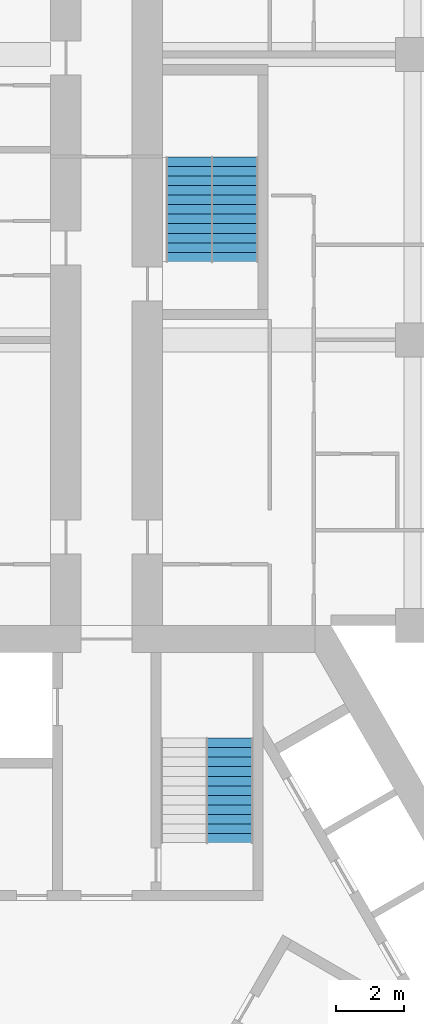
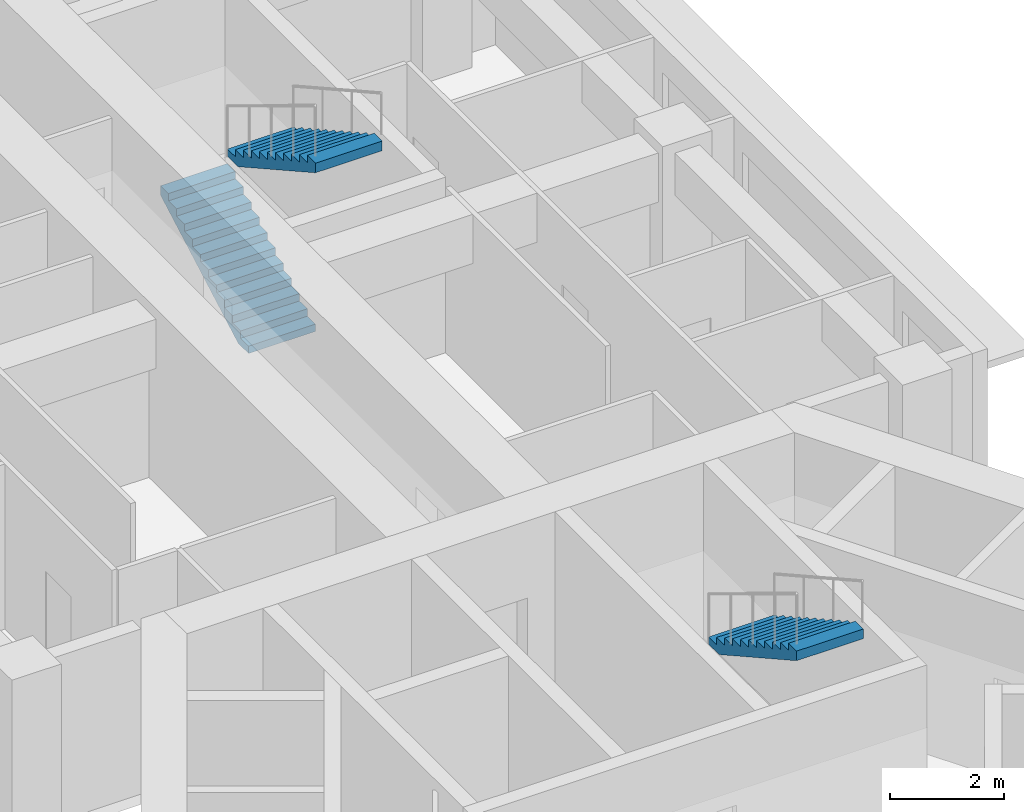
# One storey, part 13 of 14: 3 stair flights, 2 elements without a shape of their own.
"""IFC4 building model written with IfcOpenShell, lengths in metres."""

from ifc_helpers import new_model, si_unit, direction, frame, origin, place, context, subcontext, project, spatial, polyline, outline, extrude, material, type_object, element, aggregate, save


model = new_model("IFC4")

# Units and contexts
model_context = context("Model", 3, precision=1e-05, world=origin(), true_north=direction((0.0, 1.0)))
body_context = subcontext(model_context, "Body", "Model", "MODEL_VIEW")
ifc_project = project(units=[si_unit("LENGTHUNIT", "METRE"), si_unit("AREAUNIT", "SQUARE_METRE"), si_unit("VOLUMEUNIT", "CUBIC_METRE"), si_unit("PLANEANGLEUNIT", "RADIAN"), si_unit("MASSUNIT", "GRAM", prefix="KILO")], contexts=[model_context])

# Site, building, storey
site_placement = place(None, origin())
site = spatial("IfcSite", under=ifc_project, at=site_placement, CompositionType="ELEMENT")
building_placement = place(site_placement, origin())
building = spatial("IfcBuilding", under=site, at=building_placement, Name="Impinga Residences", CompositionType="ELEMENT")
storey_placement = place(building_placement, frame((0.0, 0.0, 143.5)))
storey = spatial("IfcBuildingStorey", under=building, at=storey_placement, Name="L35", CompositionType="ELEMENT", Elevation=143.5)

# Stair, stair flight
ifc_material = material(Name="Concrete C40/50", Category="concrete")
stair_type_1 = type_object("IfcStairType", Name="STR core stair 3750 storey, 24 risers", PredefinedType="HALF_TURN_STAIR", material=ifc_material)
stair_1_placement = place(storey_placement, origin())
stair_1 = element("IfcStair", 1, at=stair_1_placement, inside=storey, type_object=stair_type_1, Name="Stair ST1 L35", PredefinedType="HALF_TURN_STAIR")
stair_flight_type = type_object("IfcStairFlightType", Name="SF 12 risers of 156", PredefinedType="STRAIGHT", material=ifc_material)
stair_flight_1_placement = place(storey_placement, frame((3.625, 8.110107421875, 1.875), z_axis=(0.0, 0.0, 1.0), x_axis=(0.0, -1.0, 0.0)))
stair_flight_1 = element("IfcStairFlight", 2, at=stair_flight_1_placement, type_object=stair_flight_type, Name="ST1 flight 2", NumberOfRisers=12, NumberOfTreads=11, PredefinedType="STRAIGHT", RiserHeight=0.15625, TreadLength=0.28, context=body_context, shape_type="SweptSolid", body=[
    extrude(outline(polyline([(0.0, 0.0), (0.0, 0.15625), (0.280029296875, 0.15625), (0.280029296875, 0.3125), (0.56005859375, 0.3125), (0.56005859375, 0.46875), (0.840087890625, 0.46875), (0.840087890625, 0.625), (1.1201171875, 0.625), (1.1201171875, 0.78125), (1.39990234375, 0.78125), (1.39990234375, 0.9375), (1.679931640625, 0.9375), (1.679931640625, 1.09375), (1.9599609375, 1.09375), (1.9599609375, 1.25), (2.239990234375, 1.25), (2.239990234375, 1.40625), (2.52001953125, 1.40625), (2.52001953125, 1.5625), (2.800048828125, 1.5625), (2.800048828125, 1.71875), (3.080078125, 1.71875), (3.080078125, 1.875), (3.080078125, 1.5126953125), (0.369140625, 0.0), (0.0, 0.0)])), frame((0.0, 0.675048828125, 0.0), z_axis=(0.0, -1.0, 0.0), x_axis=(1.0, 0.0, 0.0)), (0.0, 0.0, 1.0), 1.35009765625),
])
aggregate(stair_1, [stair_flight_1])

# Stair, stair flights
stair_type_2 = type_object("IfcStairType", Name="STR wing stair 3750 storey, 24 risers", PredefinedType="HALF_TURN_STAIR", material=ifc_material)
stair_2_placement = place(storey_placement, origin())
stair_2 = element("IfcStair", 3, at=stair_2_placement, inside=storey, type_object=stair_type_2, Name="Stair WS1 L35", PredefinedType="HALF_TURN_STAIR")
stair_flight_2_placement = place(storey_placement, frame((2.425048828125, 22.131591796875, 0.0), z_axis=(0.0, 0.0, 1.0), x_axis=(0.0, 1.0, 0.0)))
stair_flight_2 = element("IfcStairFlight", 4, at=stair_flight_2_placement, type_object=stair_flight_type, Name="WS1 flight 1", NumberOfRisers=12, NumberOfTreads=11, PredefinedType="STRAIGHT", RiserHeight=0.15625, TreadLength=0.28, context=body_context, shape_type="SweptSolid", body=[
    extrude(outline(polyline([(0.0, 0.0), (0.0, 0.15625), (0.280029296875, 0.15625), (0.280029296875, 0.3125), (0.56005859375, 0.3125), (0.56005859375, 0.46875), (0.840087890625, 0.46875), (0.840087890625, 0.625), (1.1201171875, 0.625), (1.1201171875, 0.78125), (1.39990234375, 0.78125), (1.39990234375, 0.9375), (1.679931640625, 0.9375), (1.679931640625, 1.09375), (1.9599609375, 1.09375), (1.9599609375, 1.25), (2.239990234375, 1.25), (2.239990234375, 1.40625), (2.52001953125, 1.40625), (2.52001953125, 1.5625), (2.800048828125, 1.5625), (2.800048828125, 1.71875), (3.080078125, 1.71875), (3.080078125, 1.875), (3.080078125, 1.5126953125), (0.369140625, 0.0), (0.0, 0.0)])), frame((0.0, 0.675048828125, 0.0), z_axis=(0.0, -1.0, 0.0), x_axis=(1.0, 0.0, 0.0)), (0.0, 0.0, 1.0), 1.35009765625),
])
stair_flight_3_placement = place(storey_placement, frame((3.77490234375, 25.21142578125, 1.875), z_axis=(0.0, 0.0, 1.0), x_axis=(0.0, -1.0, 0.0)))
stair_flight_3 = element("IfcStairFlight", 5, at=stair_flight_3_placement, type_object=stair_flight_type, Name="WS1 flight 2", NumberOfRisers=12, NumberOfTreads=11, PredefinedType="STRAIGHT", RiserHeight=0.15625, TreadLength=0.28, context=body_context, shape_type="SweptSolid", body=[
    extrude(outline(polyline([(0.0, 0.0), (0.0, 0.15625), (0.280029296875, 0.15625), (0.280029296875, 0.3125), (0.56005859375, 0.3125), (0.56005859375, 0.46875), (0.840087890625, 0.46875), (0.840087890625, 0.625), (1.1201171875, 0.625), (1.1201171875, 0.78125), (1.39990234375, 0.78125), (1.39990234375, 0.9375), (1.679931640625, 0.9375), (1.679931640625, 1.09375), (1.9599609375, 1.09375), (1.9599609375, 1.25), (2.239990234375, 1.25), (2.239990234375, 1.40625), (2.52001953125, 1.40625), (2.52001953125, 1.5625), (2.800048828125, 1.5625), (2.800048828125, 1.71875), (3.080078125, 1.71875), (3.080078125, 1.875), (3.080078125, 1.5126953125), (0.369140625, 0.0), (0.0, 0.0)])), frame((0.0, 0.675048828125, 0.0), z_axis=(0.0, -1.0, 0.0), x_axis=(1.0, 0.0, 0.0)), (0.0, 0.0, 1.0), 1.35009765625),
])
aggregate(stair_2, [stair_flight_2, stair_flight_3])

save(model, "model.ifc")
